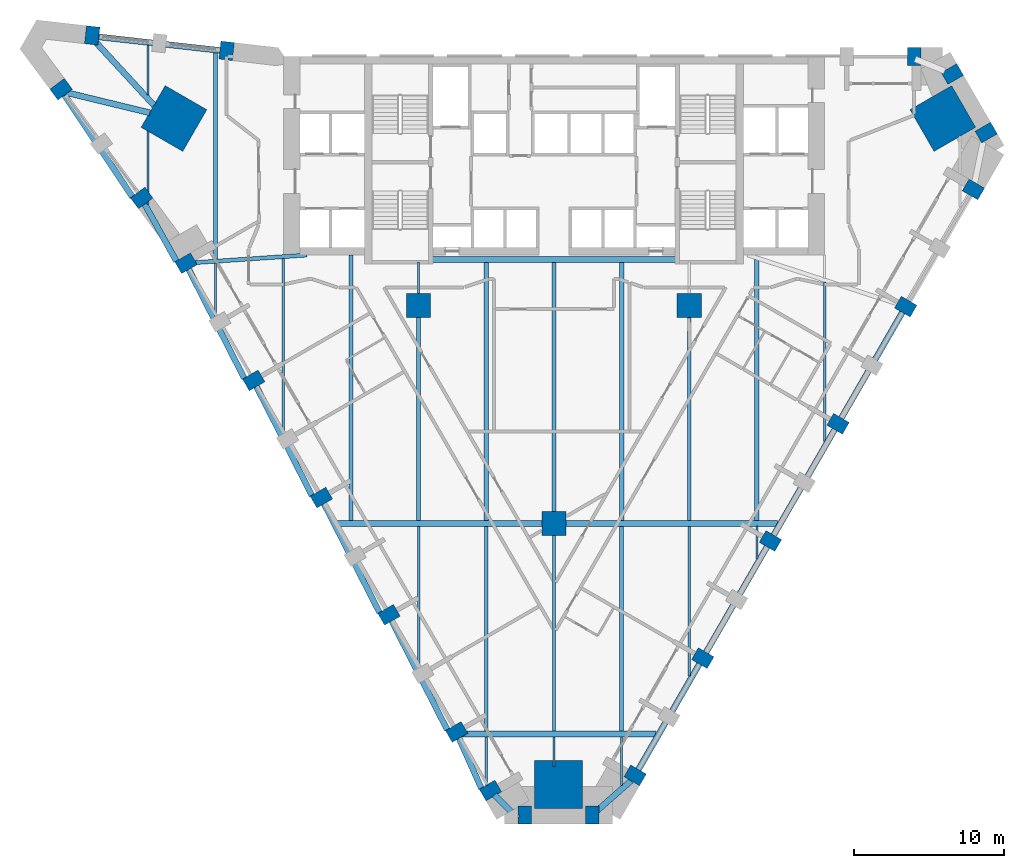
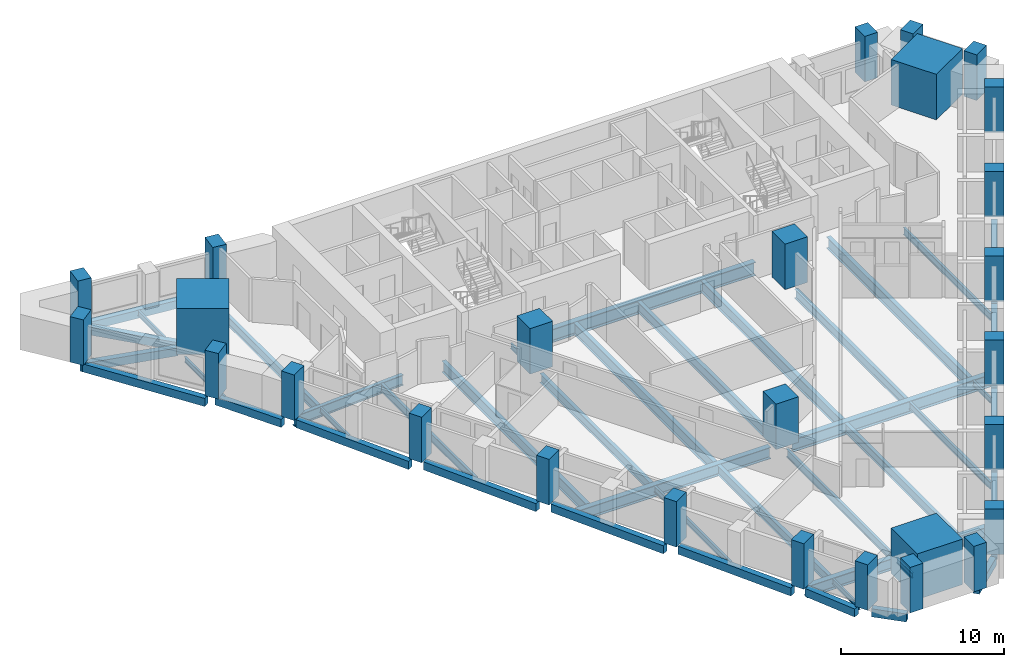
# One storey, part 1 of 10: 44 beams, 27 columns.
"""IFC4 building model written with IfcOpenShell, lengths in metres."""

from ifc_helpers import new_model, si_unit, direction, frame, origin, origin_2d, place, context, subcontext, project, spatial, rectangle, i_section, extrude, material, material_profile, profile_set, type_object, element, save


model = new_model("IFC4")

# Units and contexts
model_context = context("Model", 3, precision=1e-05, world=origin(), true_north=direction((0.0, 1.0)))
body_context = subcontext(model_context, "Body", "Model", "MODEL_VIEW")
ifc_project = project(units=[si_unit("LENGTHUNIT", "METRE"), si_unit("AREAUNIT", "SQUARE_METRE"), si_unit("VOLUMEUNIT", "CUBIC_METRE"), si_unit("PLANEANGLEUNIT", "RADIAN"), si_unit("MASSUNIT", "GRAM", prefix="KILO")], contexts=[model_context])

# Site, building, storey
site_placement = place(None, origin())
site = spatial("IfcSite", under=ifc_project, at=site_placement, CompositionType="ELEMENT")
building_placement = place(site_placement, origin())
building = spatial("IfcBuilding", under=site, at=building_placement, Name="Calabash Gate Tower", CompositionType="ELEMENT")
storey_placement = place(building_placement, frame((0.0, 0.0, 56.199951171875)))
storey = spatial("IfcBuildingStorey", under=building, at=storey_placement, Name="L09", CompositionType="ELEMENT", Elevation=56.199951171875)

# Columns
ifc_material_1 = material(Name="Concrete C80/95", Category="concrete")
ifc_material_profile_1 = material_profile(ifc_material_1, rectangle(XDim=1.60009765625, YDim=1.60009765625, at=origin_2d()))
ifc_profile_set_1 = profile_set([ifc_material_profile_1], Name="Concrete C80/95")
column_type_1 = type_object("IfcColumnType", Name="Interior column RC 1600x1600 Concrete C80/95", PredefinedType="COLUMN", material=ifc_profile_set_1)
for number, where, z_axis, x_axis, name in (
    (1, (-9.0, 2.5, 0.0), (0.0, 0.0, 1.0), (1.0, 0.0, 0.0), "Interior column L09 I0"),
    (2, (9.0, 2.5, 0.0), (0.0, 0.0, 1.0), (1.0, 0.0, 0.0), "Interior column L09 I1"),
    (3, (0.0, -12.0, 0.0), (0.0, 0.0, 1.0), (1.0, 0.0, 0.0), "Interior column L09 I2"),
):
    element("IfcColumn", number, at=place(storey_placement, frame(where, z_axis=z_axis, x_axis=x_axis)), inside=storey, type_object=column_type_1, Name=name, PredefinedType="COLUMN", context=body_context, shape_type="SweptSolid", body=[
        extrude(rectangle(XDim=1.60009765625, YDim=1.60009765625, at=origin_2d()), origin(), (0.0, 0.0, 1.0), 3.400146484375),
    ])
ifc_material_2 = material(Name="Concrete C80/95", Category="concrete")
ifc_material_profile_2 = material_profile(ifc_material_2, rectangle(XDim=3.199951171875, YDim=3.199951171875, at=origin_2d()))
ifc_profile_set_2 = profile_set([ifc_material_profile_2], Name="Concrete C80/95")
column_type_2 = type_object("IfcColumnType", Name="Mega column RC 3200x3200 Concrete C80/95", PredefinedType="COLUMN", material=ifc_profile_set_2)
for number, where, z_axis, x_axis, name in (
    (4, (-25.27197265625, 14.93701171875, 0.0), (0.0, 0.0, 1.0), (0.866025412511, -0.499999984885, 0.0), "Mega column L09 NW"),
    (5, (25.868896484375, 14.93701171875, 0.0), (0.0, 0.0, 1.0), (-0.866025412511, -0.499999984885, 0.0), "Mega column L09 NE"),
    (6, (0.298095703125, -29.35400390625, 0.0), (0.0, 0.0, 1.0), (0.0, 1.0, 0.0), "Mega column L09 S"),
):
    element("IfcColumn", number, at=place(storey_placement, frame(where, z_axis=z_axis, x_axis=x_axis)), inside=storey, type_object=column_type_2, Name=name, PredefinedType="COLUMN", context=body_context, shape_type="SweptSolid", body=[
        extrude(rectangle(XDim=3.199951171875, YDim=3.199951171875, at=origin_2d()), origin(), (0.0, 0.0, 1.0), 3.400146484375),
    ])
ifc_material_3 = material(Name="Concrete C70/85", Category="concrete")
ifc_material_profile_3 = material_profile(ifc_material_3, rectangle(XDim=0.89990234375, YDim=1.199951171875, at=origin_2d()))
ifc_profile_set_3 = profile_set([ifc_material_profile_3], Name="Concrete C70/85")
column_type_3 = type_object("IfcColumnType", Name="Perimeter column RC 900x1200 Concrete C70/85", PredefinedType="COLUMN", material=ifc_profile_set_3)
for number, where, z_axis, x_axis, name in (
    (7, (-24.469970703125, 5.31103515625, 0.0), (0.0, 0.0, 1.0), (0.500000015115, -0.866025395058, 0.0), "Perimeter column L09 P00"),
    (8, (-19.969970703125, -2.48291015625, 0.0), (0.0, 0.0, 1.0), (0.500000015115, -0.866025395058, 0.0), "Perimeter column L09 P01"),
    (9, (-15.469970703125, -10.277099609375, 0.0), (0.0, 0.0, 1.0), (0.500000015115, -0.866025395058, 0.0), "Perimeter column L09 P02"),
    (10, (-10.969970703125, -18.072021484375, 0.0), (0.0, 0.0, 1.0), (0.500000015115, -0.866025395058, 0.0), "Perimeter column L09 P03"),
    (11, (-6.469970703125, -25.865966796875, 0.0), (0.0, 0.0, 1.0), (0.500000015115, -0.866025395058, 0.0), "Perimeter column L09 P04"),
    (12, (-4.219970703125, -29.762939453125, 0.0), (0.0, 0.0, 1.0), (0.500000015115, -0.866025395058, 0.0), "Perimeter column L09 P05"),
    (13, (-1.951904296875, -31.3798828125, 0.0), (0.0, 0.0, 1.0), (1.0, 0.0, 0.0), "Perimeter column L09 P06"),
    (14, (2.548095703125, -31.3798828125, 0.0), (0.0, 0.0, 1.0), (1.0, 0.0, 0.0), "Perimeter column L09 P07"),
    (15, (5.39892578125, -28.7529296875, 0.0), (0.0, 0.0, 1.0), (0.500000015115, 0.866025395058, 0.0), "Perimeter column L09 P08"),
    (16, (9.89892578125, -20.958984375, 0.0), (0.0, 0.0, 1.0), (0.500000015115, 0.866025395058, 0.0), "Perimeter column L09 P09"),
    (17, (14.39892578125, -13.1630859375, 0.0), (0.0, 0.0, 1.0), (0.500000015115, 0.866025395058, 0.0), "Perimeter column L09 P10"),
    (18, (18.89892578125, -5.37109375, 0.0), (0.0, 0.0, 1.0), (0.500000015115, 0.866025395058, 0.0), "Perimeter column L09 P11"),
    (19, (23.39892578125, 2.423095703125, 0.0), (0.0, 0.0, 1.0), (0.500000015115, 0.866025395058, 0.0), "Perimeter column L09 P12"),
    (20, (27.89892578125, 10.218017578125, 0.0), (0.0, 0.0, 1.0), (0.500000015115, 0.866025395058, 0.0), "Perimeter column L09 P13"),
    (21, (28.748046875, 14.0, 0.0), (0.0, 0.0, 1.0), (-0.499999984885, 0.866025412511, 0.0), "Perimeter column L09 P14"),
    (22, (26.498046875, 17.89697265625, 0.0), (0.0, 0.0, 1.0), (-0.499999984885, 0.866025412511, 0.0), "Perimeter column L09 P15"),
    (23, (23.964111328125, 19.052978515625, 0.0), (0.0, 0.0, 1.0), (-1.0, 0.0, 0.0), "Perimeter column L09 P16"),
    (24, (-21.77001953125, 19.43798828125, 0.0), (0.0, 0.0, 1.0), (-0.993506319736, 0.113776942504, 0.0), "Perimeter column L09 P17"),
    (25, (-30.7119140625, 20.4619140625, 0.0), (0.0, 0.0, 1.0), (-0.993506319736, 0.113776942504, 0.0), "Perimeter column L09 P18"),
    (26, (-32.778076171875, 16.883056640625, 0.0), (0.0, 0.0, 1.0), (0.595286896465, -0.80351323007, 0.0), "Perimeter column L09 P19"),
    (27, (-27.4208984375, 9.65087890625, 0.0), (0.0, 0.0, 1.0), (0.595286896465, -0.80351323007, 0.0), "Perimeter column L09 P20"),
):
    element("IfcColumn", number, at=place(storey_placement, frame(where, z_axis=z_axis, x_axis=x_axis)), inside=storey, type_object=column_type_3, Name=name, PredefinedType="COLUMN", context=body_context, shape_type="SweptSolid", body=[
        extrude(rectangle(XDim=0.89990234375, YDim=1.199951171875, at=origin_2d()), origin(), (0.0, 0.0, 1.0), 3.400146484375),
    ])

# Beams
ifc_material_4 = material(Name="Concrete C60/75", Category="concrete")
ifc_material_profile_4 = material_profile(ifc_material_4, rectangle(XDim=0.39990234375, YDim=0.60009765625, at=origin_2d()))
ifc_profile_set_4 = profile_set([ifc_material_profile_4], Name="Concrete C60/75")
beam_type_1 = type_object("IfcBeamType", Name="Edge beam RC 400x600 Concrete C60/75", PredefinedType="BEAM", material=ifc_profile_set_4)
beam_1_placement = place(storey_placement, frame((-19.822998046875, -2.822998046875, -0.469970703125), z_axis=(0.454264260372, -0.890866983196, 0.0), x_axis=(0.890866983196, 0.454264260372, 0.0)))
element("IfcBeam", 28, at=beam_1_placement, inside=storey, type_object=beam_type_1, Name="Edge beam L09 1", PredefinedType="BEAM", context=body_context, shape_type="SweptSolid", body=[
    extrude(rectangle(XDim=0.39990234375, YDim=0.60009765625, at=origin_2d()), origin(), (0.0, 0.0, 1.0), 8.2109375),
])
for number, where, z_axis, x_axis, name in (
    (29, (-15.322998046875, -10.618896484375, -0.469970703125), (0.454360539812, -0.890817882545, 0.0), (0.890817882545, 0.454360539812, 0.0), "Edge beam L09 2"),
    (30, (-10.822998046875, -18.4130859375, -0.469970703125), (0.454360539812, -0.890817882545, 0.0), (0.890817882545, 0.454360539812, 0.0), "Edge beam L09 3"),
):
    element("IfcBeam", number, at=place(storey_placement, frame(where, z_axis=z_axis, x_axis=x_axis)), inside=storey, type_object=beam_type_1, Name=name, PredefinedType="BEAM", context=body_context, shape_type="SweptSolid", body=[
        extrude(rectangle(XDim=0.39990234375, YDim=0.60009765625, at=origin_2d()), origin(), (0.0, 0.0, 1.0), 8.209228515625),
    ])
beam_2_placement = place(storey_placement, frame((-6.345947265625, -26.2080078125, -0.469970703125), z_axis=(0.407168420861, -0.913353095497, 0.0), x_axis=(0.913353095497, 0.407168420861, 0.0)))
element("IfcBeam", 31, at=beam_2_placement, inside=storey, type_object=beam_type_1, Name="Edge beam L09 4", PredefinedType="BEAM", context=body_context, shape_type="SweptSolid", body=[
    extrude(rectangle(XDim=0.39990234375, YDim=0.60009765625, at=origin_2d()), origin(), (0.0, 0.0, 1.0), 3.738037109375),
])
beam_3_placement = place(storey_placement, frame((-3.968017578125, -30.0458984375, -0.469970703125), z_axis=(0.710457811309, -0.703739794491, 0.0), x_axis=(0.703739794491, 0.710457811309, 0.0)))
element("IfcBeam", 32, at=beam_3_placement, inside=storey, type_object=beam_type_1, Name="Edge beam L09 5", PredefinedType="BEAM", context=body_context, shape_type="SweptSolid", body=[
    extrude(rectangle(XDim=0.39990234375, YDim=0.60009765625, at=origin_2d()), origin(), (0.0, 0.0, 1.0), 2.216796875),
])
beam_4_placement = place(storey_placement, frame((2.681884765625, -31.26904296875, -0.469970703125), z_axis=(0.750281511821, 0.66111848637, 0.0), x_axis=(-0.66111848637, 0.750281511821, 0.0)))
element("IfcBeam", 33, at=beam_4_placement, inside=storey, type_object=beam_type_1, Name="Edge beam L09 6", PredefinedType="BEAM", context=body_context, shape_type="SweptSolid", body=[
    extrude(rectangle(XDim=0.39990234375, YDim=0.60009765625, at=origin_2d()), origin(), (0.0, 0.0, 1.0), 3.27490234375),
])
for number, where, z_axis, x_axis, name in (
    (34, (5.468017578125, -28.634033203125, -0.469970703125), (0.499990825162, 0.866030700815, 0.0), (-0.866030700815, 0.499990825162, 0.0), "Edge beam L09 7"),
    (35, (9.968017578125, -20.840087890625, -0.469970703125), (0.499990825162, 0.866030700815, 0.0), (-0.866030700815, 0.499990825162, 0.0), "Edge beam L09 8"),
):
    element("IfcBeam", number, at=place(storey_placement, frame(where, z_axis=z_axis, x_axis=x_axis)), inside=storey, type_object=beam_type_1, Name=name, PredefinedType="BEAM", context=body_context, shape_type="SweptSolid", body=[
        extrude(rectangle(XDim=0.39990234375, YDim=0.60009765625, at=origin_2d()), origin(), (0.0, 0.0, 1.0), 8.426025390625),
    ])
for number, where, z_axis, x_axis, name in (
    (36, (14.468017578125, -13.0458984375, -0.469970703125), (0.500003371769, 0.866023457084, 0.0), (-0.866023457084, 0.500003371769, 0.0), "Edge beam L09 9"),
    (37, (18.968017578125, -5.2509765625, -0.469970703125), (0.500003371769, 0.866023457084, 0.0), (-0.866023457084, 0.500003371769, 0.0), "Edge beam L09 10"),
):
    element("IfcBeam", number, at=place(storey_placement, frame(where, z_axis=z_axis, x_axis=x_axis)), inside=storey, type_object=beam_type_1, Name=name, PredefinedType="BEAM", context=body_context, shape_type="SweptSolid", body=[
        extrude(rectangle(XDim=0.39990234375, YDim=0.60009765625, at=origin_2d()), origin(), (0.0, 0.0, 1.0), 8.42578125),
    ])
beam_5_placement = place(storey_placement, frame((-22.200927734375, 19.466064453125, -0.469970703125), z_axis=(-0.993834530579, 0.11087346765, 0.0), x_axis=(-0.11087346765, -0.993834530579, 0.0)))
element("IfcBeam", 38, at=beam_5_placement, inside=storey, type_object=beam_type_1, Name="Edge beam L09 14", PredefinedType="BEAM", context=body_context, shape_type="SweptSolid", body=[
    extrude(rectangle(XDim=0.39990234375, YDim=0.60009765625, at=origin_2d()), origin(), (0.0, 0.0, 1.0), 8.730712890625),
])
beam_6_placement = place(storey_placement, frame((-30.8798828125, 20.449951171875, -0.469970703125), z_axis=(0.678509783503, -0.734591365107, 0.0), x_axis=(0.734591365107, 0.678509783503, 0.0)))
element("IfcBeam", 39, at=beam_6_placement, inside=storey, type_object=beam_type_1, Name="Edge beam L09 15", PredefinedType="BEAM", context=body_context, shape_type="SweptSolid", body=[
    extrude(rectangle(XDim=0.39990234375, YDim=0.60009765625, at=origin_2d()), origin(), (0.0, 0.0, 1.0), 6.312255859375),
])
beam_7_placement = place(storey_placement, frame((-26.87109375, 15.31396484375, -0.469970703125), z_axis=(-0.971786115096, 0.235863830432, 0.0), x_axis=(-0.235863830432, -0.971786115096, 0.0)))
element("IfcBeam", 40, at=beam_7_placement, inside=storey, type_object=beam_type_1, Name="Edge beam L09 16", PredefinedType="BEAM", context=body_context, shape_type="SweptSolid", body=[
    extrude(rectangle(XDim=0.39990234375, YDim=0.60009765625, at=origin_2d()), origin(), (0.0, 0.0, 1.0), 6.118408203125),
])
beam_8_placement = place(storey_placement, frame((-32.760009765625, 16.81103515625, -0.469970703125), z_axis=(0.554594365742, -0.832120838273, 0.0), x_axis=(0.832120838273, 0.554594365742, 0.0)))
element("IfcBeam", 41, at=beam_8_placement, inside=storey, type_object=beam_type_1, Name="Edge beam L09 17", PredefinedType="BEAM", context=body_context, shape_type="SweptSolid", body=[
    extrude(rectangle(XDim=0.39990234375, YDim=0.60009765625, at=origin_2d()), origin(), (0.0, 0.0, 1.0), 8.51806640625),
])
beam_9_placement = place(storey_placement, frame((-27.402099609375, 9.56396484375, -0.469970703125), z_axis=(0.48667111806, -0.873585269362, 0.0), x_axis=(0.873585269362, 0.48667111806, 0.0)))
element("IfcBeam", 42, at=beam_9_placement, inside=storey, type_object=beam_type_1, Name="Edge beam L09 18", PredefinedType="BEAM", context=body_context, shape_type="SweptSolid", body=[
    extrude(rectangle(XDim=0.39990234375, YDim=0.60009765625, at=origin_2d()), origin(), (0.0, 0.0, 1.0), 4.716064453125),
])
beam_10_placement = place(storey_placement, frame((-24.322998046875, 4.969970703125, -0.469970703125), z_axis=(0.454360539812, -0.890817882545, 0.0), x_axis=(0.890817882545, 0.454360539812, 0.0)))
element("IfcBeam", 43, at=beam_10_placement, inside=storey, type_object=beam_type_1, Name="Edge beam L09 19", PredefinedType="BEAM", context=body_context, shape_type="SweptSolid", body=[
    extrude(rectangle(XDim=0.39990234375, YDim=0.60009765625, at=origin_2d()), origin(), (0.0, 0.0, 1.0), 8.209228515625),
])
ifc_material_5 = material(Name="Steel ASTM A992 Gr50", Category="steel")
ifc_material_profile_5 = material_profile(ifc_material_5, i_section(OverallWidth=0.1396484375, OverallDepth=0.398681640625, WebThickness=0.00634765625, FlangeThickness=0.0087890625, FilletRadius=0.01025390625, at=origin_2d()))
ifc_profile_set_5 = profile_set([ifc_material_profile_5], Name="Steel ASTM A992 Gr50")
beam_type_2 = type_object("IfcBeamType", Name="Floor beam W16x26 ASTM A992 Gr50", PredefinedType="BEAM", material=ifc_profile_set_5)
beam_11_placement = place(storey_placement, frame((-27.0, 9.22900390625, -0.368896484375), z_axis=(0.0, 1.0, 0.0), x_axis=(-1.0, 0.0, 0.0)))
element("IfcBeam", 44, at=beam_11_placement, inside=storey, type_object=beam_type_2, Name="Floor beam L09 1", PredefinedType="BEAM", context=body_context, shape_type="SweptSolid", body=[
    extrude(i_section(OverallWidth=0.1396484375, OverallDepth=0.398681640625, WebThickness=0.00634765625, FlangeThickness=0.0087890625, FilletRadius=0.01025390625, at=origin_2d()), origin(), (0.0, 0.0, 1.0), 4.884033203125),
])
beam_12_placement = place(storey_placement, frame((-27.0, 16.511962890625, -0.368896484375), z_axis=(0.0, 1.0, 0.0), x_axis=(-1.0, 0.0, 0.0)))
element("IfcBeam", 45, at=beam_12_placement, inside=storey, type_object=beam_type_2, Name="Floor beam L09 2", PredefinedType="BEAM", context=body_context, shape_type="SweptSolid", body=[
    extrude(i_section(OverallWidth=0.1396484375, OverallDepth=0.398681640625, WebThickness=0.00634765625, FlangeThickness=0.0087890625, FilletRadius=0.01025390625, at=origin_2d()), origin(), (0.0, 0.0, 1.0), 3.31396484375),
])
beam_13_placement = place(storey_placement, frame((-22.5, 1.806884765625, -0.368896484375), z_axis=(0.0, 1.0, 0.0), x_axis=(-1.0, 0.0, 0.0)))
element("IfcBeam", 46, at=beam_13_placement, inside=storey, type_object=beam_type_2, Name="Floor beam L09 3", PredefinedType="BEAM", context=body_context, shape_type="SweptSolid", body=[
    extrude(i_section(OverallWidth=0.1396484375, OverallDepth=0.398681640625, WebThickness=0.00634765625, FlangeThickness=0.0087890625, FilletRadius=0.01025390625, at=origin_2d()), origin(), (0.0, 0.0, 1.0), 3.525146484375),
])
beam_14_placement = place(storey_placement, frame((-9.0, 3.300048828125, -0.368896484375), z_axis=(0.0, 1.0, 0.0), x_axis=(-1.0, 0.0, 0.0)))
element("IfcBeam", 47, at=beam_14_placement, inside=storey, type_object=beam_type_2, Name="Floor beam L09 9", PredefinedType="BEAM", context=body_context, shape_type="SweptSolid", body=[
    extrude(i_section(OverallWidth=0.1396484375, OverallDepth=0.398681640625, WebThickness=0.00634765625, FlangeThickness=0.0087890625, FilletRadius=0.01025390625, at=origin_2d()), origin(), (0.0, 0.0, 1.0), 2.10302734375),
])
beam_15_placement = place(storey_placement, frame((-4.5, -29.428955078125, -0.368896484375), z_axis=(0.0, 1.0, 0.0), x_axis=(-1.0, 0.0, 0.0)))
element("IfcBeam", 48, at=beam_15_placement, inside=storey, type_object=beam_type_2, Name="Floor beam L09 10", PredefinedType="BEAM", context=body_context, shape_type="SweptSolid", body=[
    extrude(i_section(OverallWidth=0.1396484375, OverallDepth=0.398681640625, WebThickness=0.00634765625, FlangeThickness=0.0087890625, FilletRadius=0.01025390625, at=origin_2d()), origin(), (0.0, 0.0, 1.0), 3.22998046875),
])
beam_16_placement = place(storey_placement, frame((0.0, -28.14599609375, -0.368896484375), z_axis=(0.0, 1.0, 0.0), x_axis=(-1.0, 0.0, 0.0)))
element("IfcBeam", 49, at=beam_16_placement, inside=storey, type_object=beam_type_2, Name="Floor beam L09 13", PredefinedType="BEAM", context=body_context, shape_type="SweptSolid", body=[
    extrude(i_section(OverallWidth=0.1396484375, OverallDepth=0.398681640625, WebThickness=0.00634765625, FlangeThickness=0.0087890625, FilletRadius=0.01025390625, at=origin_2d()), origin(), (0.0, 0.0, 1.0), 1.947021484375),
])
beam_17_placement = place(storey_placement, frame((4.5, -29.431884765625, -0.368896484375), z_axis=(0.0, 1.0, 0.0), x_axis=(-1.0, 0.0, 0.0)))
element("IfcBeam", 50, at=beam_17_placement, inside=storey, type_object=beam_type_2, Name="Floor beam L09 16", PredefinedType="BEAM", context=body_context, shape_type="SweptSolid", body=[
    extrude(i_section(OverallWidth=0.1396484375, OverallDepth=0.398681640625, WebThickness=0.00634765625, FlangeThickness=0.0087890625, FilletRadius=0.01025390625, at=origin_2d()), origin(), (0.0, 0.0, 1.0), 3.23291015625),
])
beam_18_placement = place(storey_placement, frame((13.5, -14.35400390625, -0.368896484375), z_axis=(0.0, 1.0, 0.0), x_axis=(-1.0, 0.0, 0.0)))
element("IfcBeam", 51, at=beam_18_placement, inside=storey, type_object=beam_type_2, Name="Floor beam L09 22", PredefinedType="BEAM", context=body_context, shape_type="SweptSolid", body=[
    extrude(i_section(OverallWidth=0.1396484375, OverallDepth=0.398681640625, WebThickness=0.00634765625, FlangeThickness=0.0087890625, FilletRadius=0.01025390625, at=origin_2d()), origin(), (0.0, 0.0, 1.0), 2.176025390625),
])
ifc_material_6 = material(Name="Steel ASTM A992 Gr50", Category="steel")
ifc_material_profile_6 = material_profile(ifc_material_6, i_section(OverallWidth=0.15234375, OverallDepth=0.44970703125, WebThickness=0.007568359375, FlangeThickness=0.0107421875, FilletRadius=0.01025390625, at=origin_2d()))
ifc_profile_set_6 = profile_set([ifc_material_profile_6], Name="Steel ASTM A992 Gr50")
beam_type_3 = type_object("IfcBeamType", Name="Floor beam W18x35 ASTM A992 Gr50", PredefinedType="BEAM", material=ifc_profile_set_6)
beam_19_placement = place(storey_placement, frame((-9.0, -21.572998046875, -0.39306640625), z_axis=(0.0, 1.0, 0.0), x_axis=(-1.0, 0.0, 0.0)))
element("IfcBeam", 52, at=beam_19_placement, inside=storey, type_object=beam_type_3, Name="Floor beam L09 7", PredefinedType="BEAM", context=body_context, shape_type="SweptSolid", body=[
    extrude(i_section(OverallWidth=0.15234375, OverallDepth=0.44970703125, WebThickness=0.007568359375, FlangeThickness=0.0107421875, FilletRadius=0.01025390625, at=origin_2d()), origin(), (0.0, 0.0, 1.0), 9.3740234375),
])
ifc_material_7 = material(Name="Steel ASTM A992 Gr50", Category="steel")
ifc_material_profile_7 = material_profile(ifc_material_7, i_section(OverallWidth=0.166015625, OverallDepth=0.5283203125, WebThickness=0.009765625, FlangeThickness=0.013671875, FilletRadius=0.0126953125, at=origin_2d()))
ifc_profile_set_7 = profile_set([ifc_material_profile_7], Name="Steel ASTM A992 Gr50")
beam_type_4 = type_object("IfcBeamType", Name="Floor beam W21x50 ASTM A992 Gr50", PredefinedType="BEAM", material=ifc_profile_set_7)
beam_20_placement = place(storey_placement, frame((9.0, -22.14892578125, -0.433837890625), z_axis=(0.0, 1.0, 0.0), x_axis=(-1.0, 0.0, 0.0)))
element("IfcBeam", 53, at=beam_20_placement, inside=storey, type_object=beam_type_4, Name="Floor beam L09 19", PredefinedType="BEAM", context=body_context, shape_type="SweptSolid", body=[
    extrude(i_section(OverallWidth=0.166015625, OverallDepth=0.5283203125, WebThickness=0.009765625, FlangeThickness=0.013671875, FilletRadius=0.0126953125, at=origin_2d()), origin(), (0.0, 0.0, 1.0), 9.93896484375),
])
beam_21_placement = place(storey_placement, frame((18.0, -6.56005859375, -0.433837890625), z_axis=(0.0, 1.0, 0.0), x_axis=(-1.0, 0.0, 0.0)))
element("IfcBeam", 54, at=beam_21_placement, inside=storey, type_object=beam_type_4, Name="Floor beam L09 24", PredefinedType="BEAM", context=body_context, shape_type="SweptSolid", body=[
    extrude(i_section(OverallWidth=0.166015625, OverallDepth=0.5283203125, WebThickness=0.009765625, FlangeThickness=0.013671875, FilletRadius=0.0126953125, at=origin_2d()), origin(), (0.0, 0.0, 1.0), 10.631103515625),
])
ifc_material_8 = material(Name="Steel ASTM A992 Gr50", Category="steel")
ifc_material_profile_8 = material_profile(ifc_material_8, i_section(OverallWidth=0.1787109375, OverallDepth=0.60205078125, WebThickness=0.010986328125, FlangeThickness=0.014892578125, FilletRadius=0.0126953125, at=origin_2d()))
ifc_profile_set_8 = profile_set([ifc_material_profile_8], Name="Steel ASTM A992 Gr50")
beam_type_5 = type_object("IfcBeamType", Name="Floor beam W24x62 ASTM A992 Gr50", PredefinedType="BEAM", material=ifc_profile_set_8)
beam_22_placement = place(storey_placement, frame((-18.0, -5.987060546875, -0.470947265625), z_axis=(0.0, 1.0, 0.0), x_axis=(-1.0, 0.0, 0.0)))
element("IfcBeam", 55, at=beam_22_placement, inside=storey, type_object=beam_type_5, Name="Floor beam L09 5", PredefinedType="BEAM", context=body_context, shape_type="SweptSolid", body=[
    extrude(i_section(OverallWidth=0.1787109375, OverallDepth=0.60205078125, WebThickness=0.010986328125, FlangeThickness=0.014892578125, FilletRadius=0.0126953125, at=origin_2d()), origin(), (0.0, 0.0, 1.0), 11.623046875),
])
beam_23_placement = place(storey_placement, frame((0.0, -25.801025390625, -0.470947265625), z_axis=(0.0, 1.0, 0.0), x_axis=(-1.0, 0.0, 0.0)))
element("IfcBeam", 56, at=beam_23_placement, inside=storey, type_object=beam_type_5, Name="Floor beam L09 14", PredefinedType="BEAM", context=body_context, shape_type="SweptSolid", body=[
    extrude(i_section(OverallWidth=0.1787109375, OverallDepth=0.60205078125, WebThickness=0.010986328125, FlangeThickness=0.014892578125, FilletRadius=0.0126953125, at=origin_2d()), origin(), (0.0, 0.0, 1.0), 13.0009765625),
])
ifc_material_9 = material(Name="Steel ASTM A992 Gr50", Category="steel")
ifc_material_profile_9 = material_profile(ifc_material_9, i_section(OverallWidth=0.25390625, OverallDepth=0.67822265625, WebThickness=0.01171875, FlangeThickness=0.016357421875, FilletRadius=0.01513671875, at=origin_2d()))
ifc_profile_set_9 = profile_set([ifc_material_profile_9], Name="Steel ASTM A992 Gr50")
beam_type_6 = type_object("IfcBeamType", Name="Floor beam W27x84 ASTM A992 Gr50", PredefinedType="BEAM", material=ifc_profile_set_9)
beam_24_placement = place(storey_placement, frame((-22.5, 5.555908203125, -0.509033203125), z_axis=(0.0, 1.0, 0.0), x_axis=(-1.0, 0.0, 0.0)))
element("IfcBeam", 57, at=beam_24_placement, inside=storey, type_object=beam_type_6, Name="Floor beam L09 4", PredefinedType="BEAM", context=body_context, shape_type="SweptSolid", body=[
    extrude(i_section(OverallWidth=0.25390625, OverallDepth=0.67822265625, WebThickness=0.01171875, FlangeThickness=0.016357421875, FilletRadius=0.01513671875, at=origin_2d()), origin(), (0.0, 0.0, 1.0), 13.755126953125),
])
beam_25_placement = place(storey_placement, frame((-9.0, -11.801025390625, -0.509033203125), z_axis=(0.0, 1.0, 0.0), x_axis=(-1.0, 0.0, 0.0)))
element("IfcBeam", 58, at=beam_25_placement, inside=storey, type_object=beam_type_6, Name="Floor beam L09 8", PredefinedType="BEAM", context=body_context, shape_type="SweptSolid", body=[
    extrude(i_section(OverallWidth=0.25390625, OverallDepth=0.67822265625, WebThickness=0.01171875, FlangeThickness=0.016357421875, FilletRadius=0.01513671875, at=origin_2d()), origin(), (0.0, 0.0, 1.0), 13.5009765625),
])
beam_26_placement = place(storey_placement, frame((-4.5, -25.801025390625, -0.509033203125), z_axis=(0.0, 1.0, 0.0), x_axis=(-1.0, 0.0, 0.0)))
element("IfcBeam", 59, at=beam_26_placement, inside=storey, type_object=beam_type_6, Name="Floor beam L09 11", PredefinedType="BEAM", context=body_context, shape_type="SweptSolid", body=[
    extrude(i_section(OverallWidth=0.25390625, OverallDepth=0.67822265625, WebThickness=0.01171875, FlangeThickness=0.016357421875, FilletRadius=0.01513671875, at=origin_2d()), origin(), (0.0, 0.0, 1.0), 13.60205078125),
])
beam_27_placement = place(storey_placement, frame((4.5, -25.801025390625, -0.509033203125), z_axis=(0.0, 1.0, 0.0), x_axis=(-1.0, 0.0, 0.0)))
element("IfcBeam", 60, at=beam_27_placement, inside=storey, type_object=beam_type_6, Name="Floor beam L09 17", PredefinedType="BEAM", context=body_context, shape_type="SweptSolid", body=[
    extrude(i_section(OverallWidth=0.25390625, OverallDepth=0.67822265625, WebThickness=0.01171875, FlangeThickness=0.016357421875, FilletRadius=0.01513671875, at=origin_2d()), origin(), (0.0, 0.0, 1.0), 13.591064453125),
])
beam_28_placement = place(storey_placement, frame((9.0, -11.7900390625, -0.509033203125), z_axis=(0.0, 1.0, 0.0), x_axis=(-1.0, 0.0, 0.0)))
element("IfcBeam", 61, at=beam_28_placement, inside=storey, type_object=beam_type_6, Name="Floor beam L09 20", PredefinedType="BEAM", context=body_context, shape_type="SweptSolid", body=[
    extrude(i_section(OverallWidth=0.25390625, OverallDepth=0.67822265625, WebThickness=0.01171875, FlangeThickness=0.016357421875, FilletRadius=0.01513671875, at=origin_2d()), origin(), (0.0, 0.0, 1.0), 13.489990234375),
])
ifc_material_10 = material(Name="Steel ASTM A992 Gr50", Category="steel")
ifc_material_profile_10 = material_profile(ifc_material_10, i_section(OverallWidth=0.2666015625, OverallDepth=0.7568359375, WebThickness=0.013916015625, FlangeThickness=0.019287109375, FilletRadius=0.0166015625, at=origin_2d()))
ifc_profile_set_10 = profile_set([ifc_material_profile_10], Name="Steel ASTM A992 Gr50")
beam_type_7 = type_object("IfcBeamType", Name="Floor beam W30x108 ASTM A992 Gr50", PredefinedType="BEAM", material=ifc_profile_set_10)
beam_29_placement = place(storey_placement, frame((0.0, -11.199951171875, -0.5478515625), z_axis=(0.0, 1.0, 0.0), x_axis=(-1.0, 0.0, 0.0)))
element("IfcBeam", 62, at=beam_29_placement, inside=storey, type_object=beam_type_7, Name="Floor beam L09 15", PredefinedType="BEAM", context=body_context, shape_type="SweptSolid", body=[
    extrude(i_section(OverallWidth=0.2666015625, OverallDepth=0.7568359375, WebThickness=0.013916015625, FlangeThickness=0.019287109375, FilletRadius=0.0166015625, at=origin_2d()), origin(), (0.0, 0.0, 1.0), 16.552001953125),
])
ifc_material_11 = material(Name="Steel ASTM A992 Gr50", Category="steel")
ifc_material_profile_11 = material_profile(ifc_material_11, i_section(OverallWidth=0.2919921875, OverallDepth=0.845703125, WebThickness=0.015380859375, FlangeThickness=0.0244140625, FilletRadius=0.017822265625, at=origin_2d()))
ifc_profile_set_11 = profile_set([ifc_material_profile_11], Name="Steel ASTM A992 Gr50")
beam_type_8 = type_object("IfcBeamType", Name="Floor beam W33x141 ASTM A992 Gr50", PredefinedType="BEAM", material=ifc_profile_set_11)
beam_30_placement = place(storey_placement, frame((-13.5, -11.801025390625, -0.593017578125), z_axis=(0.0, 1.0, 0.0), x_axis=(-1.0, 0.0, 0.0)))
element("IfcBeam", 63, at=beam_30_placement, inside=storey, type_object=beam_type_8, Name="Floor beam L09 6", PredefinedType="BEAM", context=body_context, shape_type="SweptSolid", body=[
    extrude(i_section(OverallWidth=0.2919921875, OverallDepth=0.845703125, WebThickness=0.015380859375, FlangeThickness=0.0244140625, FilletRadius=0.017822265625, at=origin_2d()), origin(), (0.0, 0.0, 1.0), 17.654052734375),
])
beam_31_placement = place(storey_placement, frame((-4.5, -11.801025390625, -0.593017578125), z_axis=(0.0, 1.0, 0.0), x_axis=(-1.0, 0.0, 0.0)))
element("IfcBeam", 64, at=beam_31_placement, inside=storey, type_object=beam_type_8, Name="Floor beam L09 12", PredefinedType="BEAM", context=body_context, shape_type="SweptSolid", body=[
    extrude(i_section(OverallWidth=0.2919921875, OverallDepth=0.845703125, WebThickness=0.015380859375, FlangeThickness=0.0244140625, FilletRadius=0.017822265625, at=origin_2d()), origin(), (0.0, 0.0, 1.0), 17.153076171875),
])
beam_32_placement = place(storey_placement, frame((4.5, -11.7900390625, -0.593017578125), z_axis=(0.0, 1.0, 0.0), x_axis=(-1.0, 0.0, 0.0)))
element("IfcBeam", 65, at=beam_32_placement, inside=storey, type_object=beam_type_8, Name="Floor beam L09 18", PredefinedType="BEAM", context=body_context, shape_type="SweptSolid", body=[
    extrude(i_section(OverallWidth=0.2919921875, OverallDepth=0.845703125, WebThickness=0.015380859375, FlangeThickness=0.0244140625, FilletRadius=0.017822265625, at=origin_2d()), origin(), (0.0, 0.0, 1.0), 17.14208984375),
])
beam_33_placement = place(storey_placement, frame((13.5, -11.7900390625, -0.593017578125), z_axis=(0.0, 1.0, 0.0), x_axis=(-1.0, 0.0, 0.0)))
element("IfcBeam", 66, at=beam_33_placement, inside=storey, type_object=beam_type_8, Name="Floor beam L09 23", PredefinedType="BEAM", context=body_context, shape_type="SweptSolid", body=[
    extrude(i_section(OverallWidth=0.2919921875, OverallDepth=0.845703125, WebThickness=0.015380859375, FlangeThickness=0.0244140625, FilletRadius=0.017822265625, at=origin_2d()), origin(), (0.0, 0.0, 1.0), 17.333984375),
])
ifc_material_12 = material(Name="Steel ASTM A992 Gr50", Category="steel")
ifc_material_profile_12 = material_profile(ifc_material_12, i_section(OverallWidth=0.2666015625, OverallDepth=0.77978515625, WebThickness=0.0166015625, FlangeThickness=0.030029296875, FilletRadius=0.0166015625, at=origin_2d()))
ifc_profile_set_12 = profile_set([ifc_material_profile_12], Name="Steel ASTM A992 Gr50")
beam_type_9 = type_object("IfcBeamType", Name="Girder W30x148 ASTM A992 Gr50", PredefinedType="BEAM", material=ifc_profile_set_12)
beam_34_placement = place(storey_placement, frame((-24.39404296875, 5.31591796875, -0.56005859375), z_axis=(0.99772868043, 0.06736082131, 0.0), x_axis=(-0.06736082131, 0.99772868043, 0.0)))
element("IfcBeam", 67, at=beam_34_placement, inside=storey, type_object=beam_type_9, Name="Girder L09 2", PredefinedType="BEAM", context=body_context, shape_type="SweptSolid", body=[
    extrude(i_section(OverallWidth=0.2666015625, OverallDepth=0.77978515625, WebThickness=0.0166015625, FlangeThickness=0.030029296875, FilletRadius=0.0166015625, at=origin_2d()), origin(), (0.0, 0.0, 1.0), 7.988037109375),
])
ifc_material_13 = material(Name="Steel ASTM A992 Gr50", Category="steel")
ifc_material_profile_13 = material_profile(ifc_material_13, i_section(OverallWidth=0.398681640625, OverallDepth=0.85595703125, WebThickness=0.018310546875, FlangeThickness=0.029296875, FilletRadius=0.02001953125, at=origin_2d()))
ifc_profile_set_13 = profile_set([ifc_material_profile_13], Name="Steel ASTM A992 Gr50")
beam_type_10 = type_object("IfcBeamType", Name="Girder W33x201 ASTM A992 Gr50", PredefinedType="BEAM", material=ifc_profile_set_13)
beam_35_placement = place(storey_placement, frame((-14.423095703125, -12.0, -0.597900390625), z_axis=(1.0, 0.0, 0.0), x_axis=(0.0, 1.0, 0.0)))
element("IfcBeam", 68, at=beam_35_placement, inside=storey, type_object=beam_type_10, Name="Girder L09 4", PredefinedType="BEAM", context=body_context, shape_type="SweptSolid", body=[
    extrude(i_section(OverallWidth=0.398681640625, OverallDepth=0.85595703125, WebThickness=0.018310546875, FlangeThickness=0.029296875, FilletRadius=0.02001953125, at=origin_2d()), origin(), (0.0, 0.0, 1.0), 13.623046875),
])
beam_36_placement = place(storey_placement, frame((-6.323974609375, -26.0, -0.597900390625), z_axis=(1.0, 0.0, 0.0), x_axis=(0.0, 1.0, 0.0)))
element("IfcBeam", 69, at=beam_36_placement, inside=storey, type_object=beam_type_10, Name="Girder L09 6", PredefinedType="BEAM", context=body_context, shape_type="SweptSolid", body=[
    extrude(i_section(OverallWidth=0.398681640625, OverallDepth=0.85595703125, WebThickness=0.018310546875, FlangeThickness=0.029296875, FilletRadius=0.02001953125, at=origin_2d()), origin(), (0.0, 0.0, 1.0), 13.10302734375),
])
ifc_material_14 = material(Name="Steel ASTM A992 Gr50", Category="steel")
ifc_material_profile_14 = material_profile(ifc_material_14, i_section(OverallWidth=0.419189453125, OverallDepth=0.927001953125, WebThickness=0.019287109375, FlangeThickness=0.031982421875, FilletRadius=0.024169921875, at=origin_2d()))
ifc_profile_set_14 = profile_set([ifc_material_profile_14], Name="Steel ASTM A992 Gr50")
beam_type_11 = type_object("IfcBeamType", Name="Girder W36x231 ASTM A992 Gr50", PredefinedType="BEAM", material=ifc_profile_set_14)
beam_37_placement = place(storey_placement, frame((0.800048828125, -12.0, -0.634033203125), z_axis=(1.0, 0.0, 0.0), x_axis=(0.0, 1.0, 0.0)))
element("IfcBeam", 70, at=beam_37_placement, inside=storey, type_object=beam_type_11, Name="Girder L09 5", PredefinedType="BEAM", context=body_context, shape_type="SweptSolid", body=[
    extrude(i_section(OverallWidth=0.419189453125, OverallDepth=0.927001953125, WebThickness=0.019287109375, FlangeThickness=0.031982421875, FilletRadius=0.024169921875, at=origin_2d()), origin(), (0.0, 0.0, 1.0), 14.06201171875),
])
ifc_material_15 = material(Name="Steel ASTM A992 Gr50", Category="steel")
ifc_material_profile_15 = material_profile(ifc_material_15, i_section(OverallWidth=0.4013671875, OverallDepth=1.000732421875, WebThickness=0.01904296875, FlangeThickness=0.0361328125, FilletRadius=0.030029296875, at=origin_2d()))
ifc_profile_set_15 = profile_set([ifc_material_profile_15], Name="Steel ASTM A992 Gr50")
beam_type_12 = type_object("IfcBeamType", Name="Girder W40x249 ASTM A992 Gr50", PredefinedType="BEAM", material=ifc_profile_set_15)
beam_38_placement = place(storey_placement, frame((-8.25, 5.552978515625, -0.669921875), z_axis=(1.0, 0.0, 0.0), x_axis=(0.0, 1.0, 0.0)))
element("IfcBeam", 71, at=beam_38_placement, inside=storey, type_object=beam_type_12, Name="Girder L09 1", PredefinedType="BEAM", context=body_context, shape_type="SweptSolid", body=[
    extrude(i_section(OverallWidth=0.4013671875, OverallDepth=1.000732421875, WebThickness=0.01904296875, FlangeThickness=0.0361328125, FilletRadius=0.030029296875, at=origin_2d()), origin(), (0.0, 0.0, 1.0), 16.5),
])

save(model, "model.ifc")
